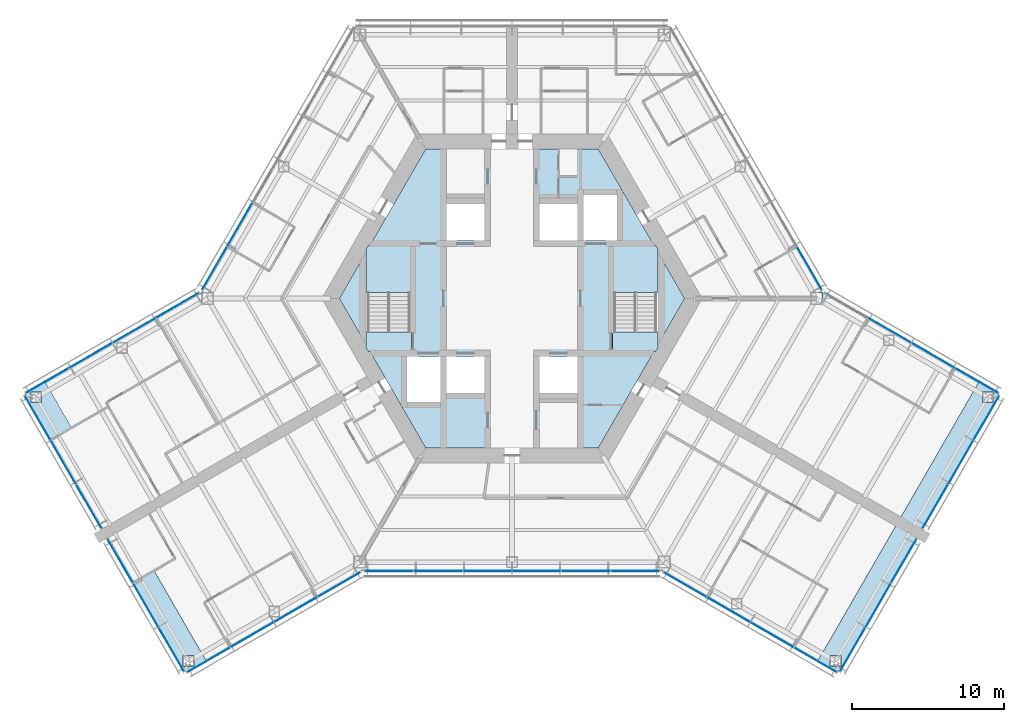
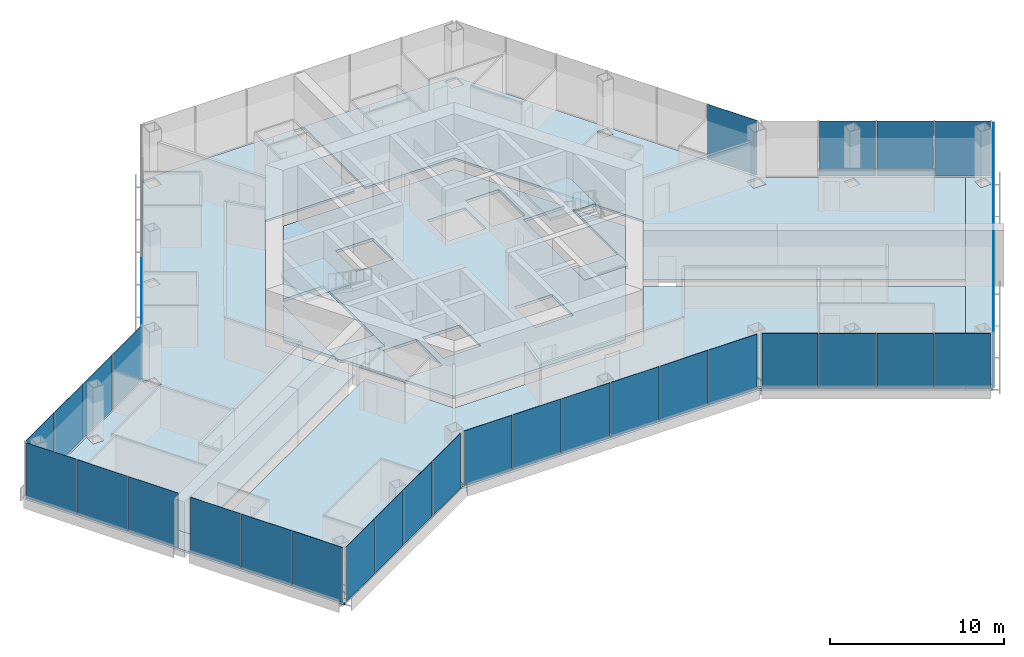
# One storey, part 10 of 18: 36 plates, 11 slabs, 13 elements without a shape of their own.
"""IFC4 building model written with IfcOpenShell, lengths in metres."""

from ifc_helpers import new_model, si_unit, direction, frame, origin, origin_2d, place, context, subcontext, project, spatial, polyline, rectangle, outline, extrude, material, layer, layer_set, type_object, element, aggregate, save


model = new_model("IFC4")

# Units and contexts
model_context = context("Model", 3, precision=1e-05, world=origin(), true_north=direction((0.0, 1.0)))
body_context = subcontext(model_context, "Body", "Model", "MODEL_VIEW")
ifc_project = project(units=[si_unit("LENGTHUNIT", "METRE"), si_unit("AREAUNIT", "SQUARE_METRE"), si_unit("VOLUMEUNIT", "CUBIC_METRE"), si_unit("PLANEANGLEUNIT", "RADIAN"), si_unit("MASSUNIT", "GRAM", prefix="KILO")], contexts=[model_context])

# Site, building, storey
site_placement = place(None, origin())
site = spatial("IfcSite", under=ifc_project, at=site_placement, CompositionType="ELEMENT")
building_placement = place(site_placement, origin())
building = spatial("IfcBuilding", under=site, at=building_placement, Name="Kasaneha Research Tower", CompositionType="ELEMENT")
storey_placement = place(building_placement, frame((0.0, 0.0, 144.800048828125)))
storey = spatial("IfcBuildingStorey", under=building, at=storey_placement, Name="L36", CompositionType="ELEMENT", Elevation=144.800048828125)

# Curtain wall, plates
ifc_material_1 = material(Name="Glass and aluminium", Category="aluminium")
curtain_wall_type = type_object("IfcCurtainWallType", Name="Mid-rise office curtain wall", PredefinedType="USERDEFINED", material=ifc_material_1)
curtain_wall_1_placement = place(storey_placement, origin())
curtain_wall_1 = element("IfcCurtainWall", 1, at=curtain_wall_1_placement, inside=storey, type_object=curtain_wall_type, Name="CW-O2 L36 run 01a", ObjectType="UNITISED CURTAIN WALL", PredefinedType="USERDEFINED")
ifc_material_2 = material(Name="Laminated double glazing", Category="glass")
ifc_layer_1 = layer(ifc_material_2, 0.02587890625)
ifc_layer_set_1 = layer_set([ifc_layer_1], Name="CW-O2 glazed panel")
plate_type = type_object("IfcPlateType", Name="CW-O2 glazed panel", PredefinedType="CURTAIN_PANEL", material=ifc_layer_set_1)
plate_1_placement = place(storey_placement, frame((-8.10107421875, -17.92041015625, 0.06005859375), z_axis=(0.0, 0.0, 1.0), x_axis=(1.0, 0.0, 0.0)))
plate_1 = element("IfcPlate", 2, at=plate_1_placement, type_object=plate_type, Name="CW-O2 panel 1", PredefinedType="CURTAIN_PANEL", context=body_context, shape_type="SweptSolid", body=[
    extrude(rectangle(XDim=3.156494140625, YDim=0.02587890625, at=origin_2d()), origin(), (0.0, 0.0, 1.0), 3.840087890625),
])
plate_2_placement = place(storey_placement, frame((-4.86962890625, -17.92041015625, 0.06005859375), z_axis=(0.0, 0.0, 1.0), x_axis=(1.0, 0.0, 0.0)))
plate_2 = element("IfcPlate", 3, at=plate_2_placement, type_object=plate_type, Name="CW-O2 panel 2", PredefinedType="CURTAIN_PANEL", context=body_context, shape_type="SweptSolid", body=[
    extrude(rectangle(XDim=3.1865234375, YDim=0.02587890625, at=origin_2d()), origin(), (0.0, 0.0, 1.0), 3.840087890625),
])
plate_3_placement = place(storey_placement, frame((-1.623291015625, -17.92041015625, 0.06005859375), z_axis=(0.0, 0.0, 1.0), x_axis=(1.0, 0.0, 0.0)))
plate_3 = element("IfcPlate", 4, at=plate_3_placement, type_object=plate_type, Name="CW-O2 panel 3", PredefinedType="CURTAIN_PANEL", context=body_context, shape_type="SweptSolid", body=[
    extrude(rectangle(XDim=3.1865234375, YDim=0.02587890625, at=origin_2d()), origin(), (0.0, 0.0, 1.0), 3.840087890625),
])
plate_4_placement = place(storey_placement, frame((1.623291015625, -17.92041015625, 0.06005859375), z_axis=(0.0, 0.0, 1.0), x_axis=(1.0, 0.0, 0.0)))
plate_4 = element("IfcPlate", 5, at=plate_4_placement, type_object=plate_type, Name="CW-O2 panel 4", PredefinedType="CURTAIN_PANEL", context=body_context, shape_type="SweptSolid", body=[
    extrude(rectangle(XDim=3.1865234375, YDim=0.02587890625, at=origin_2d()), origin(), (0.0, 0.0, 1.0), 3.840087890625),
])
plate_5_placement = place(storey_placement, frame((4.86962890625, -17.92041015625, 0.06005859375), z_axis=(0.0, 0.0, 1.0), x_axis=(1.0, 0.0, 0.0)))
plate_5 = element("IfcPlate", 6, at=plate_5_placement, type_object=plate_type, Name="CW-O2 panel 5", PredefinedType="CURTAIN_PANEL", context=body_context, shape_type="SweptSolid", body=[
    extrude(rectangle(XDim=3.1865234375, YDim=0.02587890625, at=origin_2d()), origin(), (0.0, 0.0, 1.0), 3.840087890625),
])
plate_6_placement = place(storey_placement, frame((8.10107421875, -17.92041015625, 0.06005859375), z_axis=(0.0, 0.0, 1.0), x_axis=(1.0, 0.0, 0.0)))
plate_6 = element("IfcPlate", 7, at=plate_6_placement, type_object=plate_type, Name="CW-O2 panel 6", PredefinedType="CURTAIN_PANEL", context=body_context, shape_type="SweptSolid", body=[
    extrude(rectangle(XDim=3.156494140625, YDim=0.02587890625, at=origin_2d()), origin(), (0.0, 0.0, 1.0), 3.840087890625),
])
aggregate(curtain_wall_1, [plate_1, plate_2, plate_3, plate_4, plate_5, plate_6])

curtain_wall_2_placement = place(storey_placement, origin())
curtain_wall_2 = element("IfcCurtainWall", 8, at=curtain_wall_2_placement, inside=storey, type_object=curtain_wall_type, Name="CW-O2 L36 run 02a", ObjectType="UNITISED CURTAIN WALL", PredefinedType="USERDEFINED")
plate_7_placement = place(storey_placement, frame((11.3720703125, -18.805419921875, 0.06005859375), z_axis=(0.0, 0.0, 1.0), x_axis=(0.866025411464, -0.499999986699, 0.0)))
plate_7 = element("IfcPlate", 9, at=plate_7_placement, type_object=plate_type, Name="CW-O2 panel 1", PredefinedType="CURTAIN_PANEL", context=body_context, shape_type="SweptSolid", body=[
    extrude(rectangle(XDim=3.2197265625, YDim=0.02587890625, at=origin_2d()), origin(), (0.0, 0.0, 1.0), 3.840087890625),
])
plate_8_placement = place(storey_placement, frame((14.225341796875, -20.452880859375, 0.06005859375), z_axis=(0.0, 0.0, 1.0), x_axis=(0.866025411464, -0.499999986699, 0.0)))
plate_8 = element("IfcPlate", 10, at=plate_8_placement, type_object=plate_type, Name="CW-O2 panel 2", PredefinedType="CURTAIN_PANEL", context=body_context, shape_type="SweptSolid", body=[
    extrude(rectangle(XDim=3.249755859375, YDim=0.02587890625, at=origin_2d()), origin(), (0.0, 0.0, 1.0), 3.840087890625),
])
plate_9_placement = place(storey_placement, frame((17.091796875, -22.107666015625, 0.06005859375), z_axis=(0.0, 0.0, 1.0), x_axis=(0.866025411464, -0.499999986699, 0.0)))
plate_9 = element("IfcPlate", 11, at=plate_9_placement, type_object=plate_type, Name="CW-O2 panel 3", PredefinedType="CURTAIN_PANEL", context=body_context, shape_type="SweptSolid", body=[
    extrude(rectangle(XDim=3.249755859375, YDim=0.02587890625, at=origin_2d()), origin(), (0.0, 0.0, 1.0), 3.840087890625),
])
plate_10_placement = place(storey_placement, frame((19.945068359375, -23.755126953125, 0.06005859375), z_axis=(0.0, 0.0, 1.0), x_axis=(0.866025411464, -0.499999986699, 0.0)))
plate_10 = element("IfcPlate", 12, at=plate_10_placement, type_object=plate_type, Name="CW-O2 panel 4", PredefinedType="CURTAIN_PANEL", context=body_context, shape_type="SweptSolid", body=[
    extrude(rectangle(XDim=3.2197265625, YDim=0.02587890625, at=origin_2d()), origin(), (0.0, 0.0, 1.0), 3.840087890625),
])
aggregate(curtain_wall_2, [plate_7, plate_8, plate_9, plate_10])

curtain_wall_3_placement = place(storey_placement, origin())
curtain_wall_3 = element("IfcCurtainWall", 13, at=curtain_wall_3_placement, inside=storey, type_object=curtain_wall_type, Name="CW-O2 L36 run 03a", ObjectType="UNITISED CURTAIN WALL", PredefinedType="USERDEFINED")
plate_11_placement = place(storey_placement, frame((22.38134765625, -23.075439453125, 0.06005859375), z_axis=(0.0, 0.0, 1.0), x_axis=(0.500000011442, 0.866025397178, 0.0)))
plate_11 = element("IfcPlate", 14, at=plate_11_placement, type_object=plate_type, Name="CW-O2 panel 1", PredefinedType="CURTAIN_PANEL", context=body_context, shape_type="SweptSolid", body=[
    extrude(rectangle(XDim=3.293212890625, YDim=0.02587890625, at=origin_2d()), origin(), (0.0, 0.0, 1.0), 3.840087890625),
])
plate_12_placement = place(storey_placement, frame((24.0654296875, -20.158447265625, 0.06005859375), z_axis=(0.0, 0.0, 1.0), x_axis=(0.500000011442, 0.866025397178, 0.0)))
plate_12 = element("IfcPlate", 15, at=plate_12_placement, type_object=plate_type, Name="CW-O2 panel 2", PredefinedType="CURTAIN_PANEL", context=body_context, shape_type="SweptSolid", body=[
    extrude(rectangle(XDim=3.3232421875, YDim=0.02587890625, at=origin_2d()), origin(), (0.0, 0.0, 1.0), 3.840087890625),
])
plate_13_placement = place(storey_placement, frame((25.74951171875, -17.241455078125, 0.06005859375), z_axis=(0.0, 0.0, 1.0), x_axis=(0.500000011442, 0.866025397178, 0.0)))
plate_13 = element("IfcPlate", 16, at=plate_13_placement, type_object=plate_type, Name="CW-O2 panel 3", PredefinedType="CURTAIN_PANEL", context=body_context, shape_type="SweptSolid", body=[
    extrude(rectangle(XDim=3.293212890625, YDim=0.02587890625, at=origin_2d()), origin(), (0.0, 0.0, 1.0), 3.840087890625),
])
aggregate(curtain_wall_3, [plate_11, plate_12, plate_13])

curtain_wall_4_placement = place(storey_placement, origin())
curtain_wall_4 = element("IfcCurtainWall", 17, at=curtain_wall_4_placement, inside=storey, type_object=curtain_wall_type, Name="CW-O2 L36 run 04a", ObjectType="UNITISED CURTAIN WALL", PredefinedType="USERDEFINED")
plate_14_placement = place(storey_placement, frame((27.806396484375, -13.67919921875, 0.06005859375), z_axis=(0.0, 0.0, 1.0), x_axis=(0.500000011442, 0.866025397178, 0.0)))
plate_14 = element("IfcPlate", 18, at=plate_14_placement, type_object=plate_type, Name="CW-O2 panel 1", PredefinedType="CURTAIN_PANEL", context=body_context, shape_type="SweptSolid", body=[
    extrude(rectangle(XDim=3.293212890625, YDim=0.02587890625, at=origin_2d()), origin(), (0.0, 0.0, 1.0), 3.840087890625),
])
plate_15_placement = place(storey_placement, frame((29.490478515625, -10.761962890625, 0.06005859375), z_axis=(0.0, 0.0, 1.0), x_axis=(0.500000011442, 0.866025397178, 0.0)))
plate_15 = element("IfcPlate", 19, at=plate_15_placement, type_object=plate_type, Name="CW-O2 panel 2", PredefinedType="CURTAIN_PANEL", context=body_context, shape_type="SweptSolid", body=[
    extrude(rectangle(XDim=3.3232421875, YDim=0.02587890625, at=origin_2d()), origin(), (0.0, 0.0, 1.0), 3.840087890625),
])
plate_16_placement = place(storey_placement, frame((31.174560546875, -7.844970703125, 0.06005859375), z_axis=(0.0, 0.0, 1.0), x_axis=(0.500000011442, 0.866025397178, 0.0)))
plate_16 = element("IfcPlate", 20, at=plate_16_placement, type_object=plate_type, Name="CW-O2 panel 3", PredefinedType="CURTAIN_PANEL", context=body_context, shape_type="SweptSolid", body=[
    extrude(rectangle(XDim=3.293212890625, YDim=0.02587890625, at=origin_2d()), origin(), (0.0, 0.0, 1.0), 3.840087890625),
])
aggregate(curtain_wall_4, [plate_14, plate_15, plate_16])

curtain_wall_5_placement = place(storey_placement, origin())
curtain_wall_5 = element("IfcCurtainWall", 21, at=curtain_wall_5_placement, inside=storey, type_object=curtain_wall_type, Name="CW-O2 L36 run 05a", ObjectType="UNITISED CURTAIN WALL", PredefinedType="USERDEFINED")
plate_17_placement = place(storey_placement, frame((30.545166015625, -5.3955078125, 0.06005859375), z_axis=(0.0, 0.0, 1.0), x_axis=(-0.866025411464, 0.499999986699, 0.0)))
plate_17 = element("IfcPlate", 22, at=plate_17_placement, type_object=plate_type, Name="CW-O2 panel 1", PredefinedType="CURTAIN_PANEL", context=body_context, shape_type="SweptSolid", body=[
    extrude(rectangle(XDim=3.2197265625, YDim=0.02587890625, at=origin_2d()), origin(), (0.0, 0.0, 1.0), 3.840087890625),
])
plate_18_placement = place(storey_placement, frame((27.69189453125, -3.748046875, 0.06005859375), z_axis=(0.0, 0.0, 1.0), x_axis=(-0.866025411464, 0.499999986699, 0.0)))
plate_18 = element("IfcPlate", 23, at=plate_18_placement, type_object=plate_type, Name="CW-O2 panel 2", PredefinedType="CURTAIN_PANEL", context=body_context, shape_type="SweptSolid", body=[
    extrude(rectangle(XDim=3.249755859375, YDim=0.02587890625, at=origin_2d()), origin(), (0.0, 0.0, 1.0), 3.840087890625),
])
plate_19_placement = place(storey_placement, frame((24.825439453125, -2.093017578125, 0.06005859375), z_axis=(0.0, 0.0, 1.0), x_axis=(-0.866025411464, 0.499999986699, 0.0)))
plate_19 = element("IfcPlate", 24, at=plate_19_placement, type_object=plate_type, Name="CW-O2 panel 3", PredefinedType="CURTAIN_PANEL", context=body_context, shape_type="SweptSolid", body=[
    extrude(rectangle(XDim=3.249755859375, YDim=0.02587890625, at=origin_2d()), origin(), (0.0, 0.0, 1.0), 3.840087890625),
])
aggregate(curtain_wall_5, [plate_17, plate_18, plate_19])

# Curtain wall, plate
curtain_wall_6_placement = place(storey_placement, origin())
curtain_wall_6 = element("IfcCurtainWall", 25, at=curtain_wall_6_placement, inside=storey, type_object=curtain_wall_type, Name="CW-O2 L36 run 06a", ObjectType="UNITISED CURTAIN WALL", PredefinedType="USERDEFINED")
plate_20_placement = place(storey_placement, frame((19.549072265625, 1.981201171875, 0.06005859375), z_axis=(0.0, 0.0, 1.0), x_axis=(-0.499999979232, 0.866025415775, 0.0)))
plate_20 = element("IfcPlate", 26, at=plate_20_placement, type_object=plate_type, Name="CW-O2 panel 1", PredefinedType="CURTAIN_PANEL", context=body_context, shape_type="SweptSolid", body=[
    extrude(rectangle(XDim=3.240966796875, YDim=0.02587890625, at=origin_2d()), origin(), (0.0, 0.0, 1.0), 3.840087890625),
])
aggregate(curtain_wall_6, [plate_20])

# Curtain wall, plates
curtain_wall_7_placement = place(storey_placement, origin())
curtain_wall_7 = element("IfcCurtainWall", 27, at=curtain_wall_7_placement, inside=storey, type_object=curtain_wall_type, Name="CW-O2 L36 run 08a", ObjectType="UNITISED CURTAIN WALL", PredefinedType="USERDEFINED")
plate_21_placement = place(storey_placement, frame((-17.89111328125, 4.852783203125, 0.06005859375), z_axis=(0.0, 0.0, 1.0), x_axis=(-0.499999979232, -0.866025415775, 0.0)))
plate_21 = element("IfcPlate", 28, at=plate_21_placement, type_object=plate_type, Name="CW-O2 panel 5", PredefinedType="CURTAIN_PANEL", context=body_context, shape_type="SweptSolid", body=[
    extrude(rectangle(XDim=3.27099609375, YDim=0.02587890625, at=origin_2d()), origin(), (0.0, 0.0, 1.0), 3.840087890625),
])
plate_22_placement = place(storey_placement, frame((-19.549072265625, 1.981201171875, 0.06005859375), z_axis=(0.0, 0.0, 1.0), x_axis=(-0.499999979232, -0.866025415775, 0.0)))
plate_22 = element("IfcPlate", 29, at=plate_22_placement, type_object=plate_type, Name="CW-O2 panel 6", PredefinedType="CURTAIN_PANEL", context=body_context, shape_type="SweptSolid", body=[
    extrude(rectangle(XDim=3.240966796875, YDim=0.02587890625, at=origin_2d()), origin(), (0.0, 0.0, 1.0), 3.840087890625),
])
aggregate(curtain_wall_7, [plate_21, plate_22])

curtain_wall_8_placement = place(storey_placement, origin())
curtain_wall_8 = element("IfcCurtainWall", 30, at=curtain_wall_8_placement, inside=storey, type_object=curtain_wall_type, Name="CW-O2 L36 run 09a", ObjectType="UNITISED CURTAIN WALL", PredefinedType="USERDEFINED")
plate_23_placement = place(storey_placement, frame((-21.971923828125, -0.44580078125, 0.06005859375), z_axis=(0.0, 0.0, 1.0), x_axis=(-0.866025411464, -0.499999986699, 0.0)))
plate_23 = element("IfcPlate", 31, at=plate_23_placement, type_object=plate_type, Name="CW-O2 panel 1", PredefinedType="CURTAIN_PANEL", context=body_context, shape_type="SweptSolid", body=[
    extrude(rectangle(XDim=3.2197265625, YDim=0.02587890625, at=origin_2d()), origin(), (0.0, 0.0, 1.0), 3.840087890625),
])
plate_24_placement = place(storey_placement, frame((-24.825439453125, -2.093017578125, 0.06005859375), z_axis=(0.0, 0.0, 1.0), x_axis=(-0.866025411464, -0.499999986699, 0.0)))
plate_24 = element("IfcPlate", 32, at=plate_24_placement, type_object=plate_type, Name="CW-O2 panel 2", PredefinedType="CURTAIN_PANEL", context=body_context, shape_type="SweptSolid", body=[
    extrude(rectangle(XDim=3.249755859375, YDim=0.02587890625, at=origin_2d()), origin(), (0.0, 0.0, 1.0), 3.840087890625),
])
plate_25_placement = place(storey_placement, frame((-27.69189453125, -3.748046875, 0.06005859375), z_axis=(0.0, 0.0, 1.0), x_axis=(-0.866025411464, -0.499999986699, 0.0)))
plate_25 = element("IfcPlate", 33, at=plate_25_placement, type_object=plate_type, Name="CW-O2 panel 3", PredefinedType="CURTAIN_PANEL", context=body_context, shape_type="SweptSolid", body=[
    extrude(rectangle(XDim=3.249755859375, YDim=0.02587890625, at=origin_2d()), origin(), (0.0, 0.0, 1.0), 3.840087890625),
])
plate_26_placement = place(storey_placement, frame((-30.545166015625, -5.3955078125, 0.06005859375), z_axis=(0.0, 0.0, 1.0), x_axis=(-0.866025411464, -0.499999986699, 0.0)))
plate_26 = element("IfcPlate", 34, at=plate_26_placement, type_object=plate_type, Name="CW-O2 panel 4", PredefinedType="CURTAIN_PANEL", context=body_context, shape_type="SweptSolid", body=[
    extrude(rectangle(XDim=3.2197265625, YDim=0.02587890625, at=origin_2d()), origin(), (0.0, 0.0, 1.0), 3.840087890625),
])
aggregate(curtain_wall_8, [plate_23, plate_24, plate_25, plate_26])

curtain_wall_9_placement = place(storey_placement, origin())
curtain_wall_9 = element("IfcCurtainWall", 35, at=curtain_wall_9_placement, inside=storey, type_object=curtain_wall_type, Name="CW-O2 L36 run 10a", ObjectType="UNITISED CURTAIN WALL", PredefinedType="USERDEFINED")
plate_27_placement = place(storey_placement, frame((-31.174560546875, -7.844970703125, 0.06005859375), z_axis=(0.0, 0.0, 1.0), x_axis=(0.500000011442, -0.866025397178, 0.0)))
plate_27 = element("IfcPlate", 36, at=plate_27_placement, type_object=plate_type, Name="CW-O2 panel 1", PredefinedType="CURTAIN_PANEL", context=body_context, shape_type="SweptSolid", body=[
    extrude(rectangle(XDim=3.293212890625, YDim=0.02587890625, at=origin_2d()), origin(), (0.0, 0.0, 1.0), 3.840087890625),
])
plate_28_placement = place(storey_placement, frame((-29.490478515625, -10.761962890625, 0.06005859375), z_axis=(0.0, 0.0, 1.0), x_axis=(0.500000011442, -0.866025397178, 0.0)))
plate_28 = element("IfcPlate", 37, at=plate_28_placement, type_object=plate_type, Name="CW-O2 panel 2", PredefinedType="CURTAIN_PANEL", context=body_context, shape_type="SweptSolid", body=[
    extrude(rectangle(XDim=3.3232421875, YDim=0.02587890625, at=origin_2d()), origin(), (0.0, 0.0, 1.0), 3.840087890625),
])
plate_29_placement = place(storey_placement, frame((-27.806396484375, -13.67919921875, 0.06005859375), z_axis=(0.0, 0.0, 1.0), x_axis=(0.500000011442, -0.866025397178, 0.0)))
plate_29 = element("IfcPlate", 38, at=plate_29_placement, type_object=plate_type, Name="CW-O2 panel 3", PredefinedType="CURTAIN_PANEL", context=body_context, shape_type="SweptSolid", body=[
    extrude(rectangle(XDim=3.293212890625, YDim=0.02587890625, at=origin_2d()), origin(), (0.0, 0.0, 1.0), 3.840087890625),
])
aggregate(curtain_wall_9, [plate_27, plate_28, plate_29])

curtain_wall_10_placement = place(storey_placement, origin())
curtain_wall_10 = element("IfcCurtainWall", 39, at=curtain_wall_10_placement, inside=storey, type_object=curtain_wall_type, Name="CW-O2 L36 run 11a", ObjectType="UNITISED CURTAIN WALL", PredefinedType="USERDEFINED")
plate_30_placement = place(storey_placement, frame((-25.74951171875, -17.241455078125, 0.06005859375), z_axis=(0.0, 0.0, 1.0), x_axis=(0.500000011442, -0.866025397178, 0.0)))
plate_30 = element("IfcPlate", 40, at=plate_30_placement, type_object=plate_type, Name="CW-O2 panel 1", PredefinedType="CURTAIN_PANEL", context=body_context, shape_type="SweptSolid", body=[
    extrude(rectangle(XDim=3.293212890625, YDim=0.02587890625, at=origin_2d()), origin(), (0.0, 0.0, 1.0), 3.840087890625),
])
plate_31_placement = place(storey_placement, frame((-24.0654296875, -20.158447265625, 0.06005859375), z_axis=(0.0, 0.0, 1.0), x_axis=(0.500000011442, -0.866025397178, 0.0)))
plate_31 = element("IfcPlate", 41, at=plate_31_placement, type_object=plate_type, Name="CW-O2 panel 2", PredefinedType="CURTAIN_PANEL", context=body_context, shape_type="SweptSolid", body=[
    extrude(rectangle(XDim=3.3232421875, YDim=0.02587890625, at=origin_2d()), origin(), (0.0, 0.0, 1.0), 3.840087890625),
])
plate_32_placement = place(storey_placement, frame((-22.38134765625, -23.075439453125, 0.06005859375), z_axis=(0.0, 0.0, 1.0), x_axis=(0.500000011442, -0.866025397178, 0.0)))
plate_32 = element("IfcPlate", 42, at=plate_32_placement, type_object=plate_type, Name="CW-O2 panel 3", PredefinedType="CURTAIN_PANEL", context=body_context, shape_type="SweptSolid", body=[
    extrude(rectangle(XDim=3.293212890625, YDim=0.02587890625, at=origin_2d()), origin(), (0.0, 0.0, 1.0), 3.840087890625),
])
aggregate(curtain_wall_10, [plate_30, plate_31, plate_32])

curtain_wall_11_placement = place(storey_placement, origin())
curtain_wall_11 = element("IfcCurtainWall", 43, at=curtain_wall_11_placement, inside=storey, type_object=curtain_wall_type, Name="CW-O2 L36 run 12a", ObjectType="UNITISED CURTAIN WALL", PredefinedType="USERDEFINED")
plate_33_placement = place(storey_placement, frame((-19.945068359375, -23.755126953125, 0.06005859375), z_axis=(0.0, 0.0, 1.0), x_axis=(0.866025411464, 0.499999986699, 0.0)))
plate_33 = element("IfcPlate", 44, at=plate_33_placement, type_object=plate_type, Name="CW-O2 panel 1", PredefinedType="CURTAIN_PANEL", context=body_context, shape_type="SweptSolid", body=[
    extrude(rectangle(XDim=3.2197265625, YDim=0.02587890625, at=origin_2d()), origin(), (0.0, 0.0, 1.0), 3.840087890625),
])
plate_34_placement = place(storey_placement, frame((-17.091796875, -22.107666015625, 0.06005859375), z_axis=(0.0, 0.0, 1.0), x_axis=(0.866025411464, 0.499999986699, 0.0)))
plate_34 = element("IfcPlate", 45, at=plate_34_placement, type_object=plate_type, Name="CW-O2 panel 2", PredefinedType="CURTAIN_PANEL", context=body_context, shape_type="SweptSolid", body=[
    extrude(rectangle(XDim=3.249755859375, YDim=0.02587890625, at=origin_2d()), origin(), (0.0, 0.0, 1.0), 3.840087890625),
])
plate_35_placement = place(storey_placement, frame((-14.225341796875, -20.452880859375, 0.06005859375), z_axis=(0.0, 0.0, 1.0), x_axis=(0.866025411464, 0.499999986699, 0.0)))
plate_35 = element("IfcPlate", 46, at=plate_35_placement, type_object=plate_type, Name="CW-O2 panel 3", PredefinedType="CURTAIN_PANEL", context=body_context, shape_type="SweptSolid", body=[
    extrude(rectangle(XDim=3.249755859375, YDim=0.02587890625, at=origin_2d()), origin(), (0.0, 0.0, 1.0), 3.840087890625),
])
plate_36_placement = place(storey_placement, frame((-11.3720703125, -18.805419921875, 0.06005859375), z_axis=(0.0, 0.0, 1.0), x_axis=(0.866025411464, 0.499999986699, 0.0)))
plate_36 = element("IfcPlate", 47, at=plate_36_placement, type_object=plate_type, Name="CW-O2 panel 4", PredefinedType="CURTAIN_PANEL", context=body_context, shape_type="SweptSolid", body=[
    extrude(rectangle(XDim=3.2197265625, YDim=0.02587890625, at=origin_2d()), origin(), (0.0, 0.0, 1.0), 3.840087890625),
])
aggregate(curtain_wall_11, [plate_33, plate_34, plate_35, plate_36])

# Slabs
ifc_material_3 = material(Name="Concrete Fc24", Category="concrete")
ifc_layer_2 = layer(ifc_material_3, 0.199951171875)
ifc_layer_set_2 = layer_set([ifc_layer_2], Name="Core floor slab 200")
slab_type_1 = type_object("IfcSlabType", Name="Core floor slab 200", PredefinedType="FLOOR", material=ifc_layer_set_2)
slab_1_placement = place(storey_placement, frame((0.0, 0.0, -0.199951171875)))
element("IfcSlab", 48, at=slab_1_placement, inside=storey, type_object=slab_type_1, Name="Core slab L36", PredefinedType="FLOOR", context=body_context, shape_type="SweptSolid", body=[
    extrude(outline(polyline([(-11.344970703125, 0.0), (-9.60009765625, 3.022216796875), (-9.60009765625, -3.022216796875), (-11.344970703125, 0.0)])), origin(), (0.0, 0.0, 1.0), 0.199951171875),
])
slab_2_placement = place(storey_placement, frame((0.0, 0.0, -0.199951171875)))
element("IfcSlab", 49, at=slab_2_placement, inside=storey, type_object=slab_type_1, Name="Core slab L36", PredefinedType="FLOOR", context=body_context, shape_type="SweptSolid", body=[
    extrude(outline(polyline([(-5.67236328125, 9.824951171875), (5.67236328125, 9.824951171875), (9.32421875, 3.5), (6.60009765625, 3.5), (6.60009765625, -3.5), (9.32421875, -3.5), (5.67236328125, -9.824951171875), (-5.67236328125, -9.824951171875), (-9.32421875, -3.5), (-6.60009765625, -3.5), (-6.60009765625, 3.5), (-9.32421875, 3.5), (-5.67236328125, 9.824951171875)]), holes=[polyline([(-6.89990234375, -3.800048828125), (-6.89990234375, -6.800048828125), (-4.699951171875, -6.800048828125), (-4.699951171875, -3.800048828125), (-6.89990234375, -3.800048828125)]), polyline([(-4.300048828125, -3.800048828125), (-4.300048828125, -6.199951171875), (-1.800048828125, -6.199951171875), (-1.800048828125, -3.800048828125), (-4.300048828125, -3.800048828125)]), polyline([(1.800048828125, -3.800048828125), (1.800048828125, -6.199951171875), (4.300048828125, -6.199951171875), (4.300048828125, -3.800048828125), (1.800048828125, -3.800048828125)]), polyline([(-4.300048828125, 6.199951171875), (-4.300048828125, 3.800048828125), (-1.800048828125, 3.800048828125), (-1.800048828125, 6.199951171875), (-4.300048828125, 6.199951171875)]), polyline([(1.800048828125, 6.199951171875), (1.800048828125, 3.800048828125), (4.300048828125, 3.800048828125), (4.300048828125, 6.199951171875), (1.800048828125, 6.199951171875)]), polyline([(4.699951171875, 6.800048828125), (4.699951171875, 3.800048828125), (6.89990234375, 3.800048828125), (6.89990234375, 6.800048828125), (4.699951171875, 6.800048828125)])]), origin(), (0.0, 0.0, 1.0), 0.199951171875),
])
slab_3_placement = place(storey_placement, frame((0.0, 0.0, -0.199951171875)))
element("IfcSlab", 50, at=slab_3_placement, inside=storey, type_object=slab_type_1, Name="Core slab L36", PredefinedType="FLOOR", context=body_context, shape_type="SweptSolid", body=[
    extrude(outline(polyline([(11.344970703125, 0.0), (9.60009765625, -3.022216796875), (9.60009765625, 3.022216796875), (11.344970703125, 0.0)])), origin(), (0.0, 0.0, 1.0), 0.199951171875),
])
ifc_material_4 = material(Name="Concrete Fc24", Category="concrete")
ifc_layer_3 = layer(ifc_material_4, 0.14990234375)
ifc_layer_set_3 = layer_set([ifc_layer_3], Name="Floor slab 150")
slab_type_2 = type_object("IfcSlabType", Name="Floor slab 150", PredefinedType="FLOOR", material=ifc_layer_set_3)
slab_4_placement = place(storey_placement, frame((0.0, 0.0, -0.150146484375)))
element("IfcSlab", 51, at=slab_4_placement, inside=storey, type_object=slab_type_2, Name="Floor slab L36 1", PredefinedType="FLOOR", context=body_context, shape_type="SweptSolid", body=[
    extrude(outline(polyline([(-32.009521484375, -6.298583984375), (-30.65869140625, -5.518798828125), (-25.55859375, -14.35205078125), (-25.5673828125, -14.357177734375), (-25.21728515625, -14.96337890625), (-25.208740234375, -14.958251953125), (-20.108642578125, -23.791748046875), (-21.459716796875, -24.57177734375), (-32.009521484375, -6.298583984375)]), holes=[polyline([(-20.908447265625, -24.17041015625), (-20.908447265625, -23.470458984375), (-21.6083984375, -23.470458984375), (-21.6083984375, -24.17041015625), (-20.908447265625, -24.17041015625)]), polyline([(-30.908447265625, -6.85009765625), (-30.908447265625, -6.14990234375), (-31.6083984375, -6.14990234375), (-31.6083984375, -6.85009765625), (-30.908447265625, -6.85009765625)])]), origin(), (0.0, 0.0, 1.0), 0.150146484375),
])
slab_5_placement = place(storey_placement, frame((0.0, 0.0, -0.150146484375)))
element("IfcSlab", 52, at=slab_5_placement, inside=storey, type_object=slab_type_2, Name="Floor slab L36 2", PredefinedType="FLOOR", context=body_context, shape_type="SweptSolid", body=[
    extrude(outline(polyline([(9.8525390625, -17.87060546875), (-9.8525390625, -17.87060546875), (-20.108642578125, -23.791748046875), (-25.208740234375, -14.958251953125), (-9.19970703125, -5.715576171875), (-6.249755859375, -10.824951171875), (6.249755859375, -10.824951171875), (9.19970703125, -5.715576171875), (25.208740234375, -14.958251953125), (20.108642578125, -23.791748046875), (9.8525390625, -17.87060546875)]), holes=[polyline([(-15.279052734375, -20.92041015625), (-15.279052734375, -20.220458984375), (-15.979248046875, -20.220458984375), (-15.979248046875, -20.92041015625), (-15.279052734375, -20.92041015625)]), polyline([(0.35009765625, -17.67041015625), (0.35009765625, -16.970458984375), (-0.35009765625, -16.970458984375), (-0.35009765625, -17.67041015625), (0.35009765625, -17.67041015625)]), polyline([(-10.39990234375, -17.720458984375), (-9.60009765625, -17.720458984375), (-9.60009765625, -16.92041015625), (-10.39990234375, -16.92041015625), (-10.39990234375, -17.720458984375)]), polyline([(15.113037109375, -20.42041015625), (15.113037109375, -19.720458984375), (14.4130859375, -19.720458984375), (14.4130859375, -20.42041015625), (15.113037109375, -20.42041015625)]), polyline([(9.60009765625, -17.720458984375), (10.39990234375, -17.720458984375), (10.39990234375, -16.92041015625), (9.60009765625, -16.92041015625), (9.60009765625, -17.720458984375)])]), origin(), (0.0, 0.0, 1.0), 0.150146484375),
])
slab_6_placement = place(storey_placement, frame((0.0, 0.0, -0.150146484375)))
element("IfcSlab", 53, at=slab_6_placement, inside=storey, type_object=slab_type_2, Name="Floor slab L36 3", PredefinedType="FLOOR", context=body_context, shape_type="SweptSolid", body=[
    extrude(outline(polyline([(-20.400146484375, -0.400146484375), (-19.599853515625, -0.400146484375), (-19.599853515625, 0.400146484375), (-20.385986328125, 0.400146484375), (-20.3974609375, 0.41162109375), (-10.40771484375, 17.714111328125), (-10.400146484375, 17.70654296875), (-10.400146484375, 16.92041015625), (-9.599853515625, 16.92041015625), (-9.599853515625, 17.720703125), (-10.385986328125, 17.720703125), (-10.3974609375, 17.732177734375), (-10.317626953125, 17.87060546875), (10.317626953125, 17.87060546875), (10.3974609375, 17.732177734375), (10.385986328125, 17.720703125), (9.599853515625, 17.720703125), (9.599853515625, 16.92041015625), (10.400146484375, 16.92041015625), (10.400146484375, 17.70654296875), (10.40771484375, 17.714111328125), (20.3974609375, 0.41162109375), (20.385986328125, 0.400146484375), (19.599853515625, 0.400146484375), (19.599853515625, -0.400146484375), (20.400146484375, -0.400146484375), (20.400146484375, 0.385986328125), (20.41162109375, 0.3974609375), (30.65869140625, -5.518798828125), (25.55859375, -14.35205078125), (9.5498046875, -5.109375), (12.49951171875, 0.0), (6.249755859375, 10.824951171875), (0.35009765625, 10.824951171875), (0.35009765625, 17.7705078125), (-0.35009765625, 17.7705078125), (-0.35009765625, 10.824951171875), (-6.249755859375, 10.824951171875), (-12.49951171875, 0.0), (-9.5498046875, -5.109375), (-25.55859375, -14.35205078125), (-30.65869140625, -5.518798828125), (-20.41162109375, 0.3974609375), (-20.400146484375, 0.385986328125), (-20.400146484375, -0.400146484375)]), holes=[polyline([(-25.279052734375, -3.60009765625), (-25.279052734375, -2.89990234375), (-25.979248046875, -2.89990234375), (-25.979248046875, -3.60009765625), (-25.279052734375, -3.60009765625)]), polyline([(-15.35009765625, 8.310302734375), (-14.64990234375, 8.310302734375), (-14.64990234375, 9.01025390625), (-15.35009765625, 9.01025390625), (-15.35009765625, 8.310302734375)]), polyline([(24.4130859375, -3.10009765625), (25.113037109375, -3.10009765625), (25.113037109375, -2.39990234375), (24.4130859375, -2.39990234375), (24.4130859375, -3.10009765625)]), polyline([(14.64990234375, 8.310302734375), (15.35009765625, 8.310302734375), (15.35009765625, 9.01025390625), (14.64990234375, 9.01025390625), (14.64990234375, 8.310302734375)])]), origin(), (0.0, 0.0, 1.0), 0.150146484375),
])
slab_7_placement = place(storey_placement, frame((0.0, 0.0, -0.150146484375)))
element("IfcSlab", 54, at=slab_7_placement, inside=storey, type_object=slab_type_2, Name="Floor slab L36 4", PredefinedType="FLOOR", context=body_context, shape_type="SweptSolid", body=[
    extrude(outline(polyline([(32.009521484375, -6.298583984375), (21.459716796875, -24.57177734375), (20.108642578125, -23.791748046875), (25.208740234375, -14.958251953125), (25.21728515625, -14.96337890625), (25.5673828125, -14.357177734375), (25.55859375, -14.35205078125), (30.65869140625, -5.518798828125), (32.009521484375, -6.298583984375)]), holes=[polyline([(21.6083984375, -24.17041015625), (21.6083984375, -23.470458984375), (20.908447265625, -23.470458984375), (20.908447265625, -24.17041015625), (21.6083984375, -24.17041015625)]), polyline([(31.6083984375, -6.85009765625), (31.6083984375, -6.14990234375), (30.908447265625, -6.14990234375), (30.908447265625, -6.85009765625), (31.6083984375, -6.85009765625)])]), origin(), (0.0, 0.0, 1.0), 0.150146484375),
])

# Stair, slabs
ifc_material_5 = material(Name="Concrete Fc24", Category="concrete")
stair_type = type_object("IfcStairType", Name="Half-turn stair 22 risers", PredefinedType="HALF_TURN_STAIR", material=ifc_material_5)
stair_1_placement = place(storey_placement, origin())
stair_1 = element("IfcStair", 55, at=stair_1_placement, inside=storey, type_object=stair_type, Name="Stair 1 L36", PredefinedType="HALF_TURN_STAIR")
ifc_material_6 = material(Name="Concrete Fc24", Category="concrete")
ifc_layer_4 = layer(ifc_material_6, 0.199951171875)
ifc_layer_set_4 = layer_set([ifc_layer_4], Name="Stair 1 landing 200")
slab_type_3 = type_object("IfcSlabType", Name="Stair 1 landing 200", PredefinedType="LANDING", material=ifc_layer_set_4)
slab_8_placement = place(storey_placement, frame((0.0, 0.0, -0.199951171875)))
slab_8 = element("IfcSlab", 56, at=slab_8_placement, type_object=slab_type_3, Name="ST1-22R landing 1", PredefinedType="LANDING", context=body_context, shape_type="SweptSolid", body=[
    extrude(outline(polyline([(9.439697265625, -3.5), (6.60009765625, -3.5), (6.60009765625, -2.199951171875), (9.60009765625, -2.199951171875), (9.60009765625, -3.222412109375), (9.439697265625, -3.5)])), origin(), (0.0, 0.0, 1.0), 0.199951171875),
])
slab_9_placement = place(storey_placement, frame((0.0, 0.0, 1.75)))
slab_9 = element("IfcSlab", 57, at=slab_9_placement, type_object=slab_type_3, Name="ST1-22R landing 2", PredefinedType="LANDING", context=body_context, shape_type="SweptSolid", body=[
    extrude(outline(polyline([(6.60009765625, 3.5), (9.439697265625, 3.5), (9.60009765625, 3.222412109375), (9.60009765625, 0.39990234375), (6.60009765625, 0.39990234375), (6.60009765625, 3.5)])), origin(), (0.0, 0.0, 1.0), 0.199951171875),
])
aggregate(stair_1, [slab_8, slab_9])

stair_2_placement = place(storey_placement, origin())
stair_2 = element("IfcStair", 58, at=stair_2_placement, inside=storey, type_object=stair_type, Name="Stair 2 L36", PredefinedType="HALF_TURN_STAIR")
ifc_material_7 = material(Name="Concrete Fc24", Category="concrete")
ifc_layer_5 = layer(ifc_material_7, 0.199951171875)
ifc_layer_set_5 = layer_set([ifc_layer_5], Name="Stair 2 landing 200")
slab_type_4 = type_object("IfcSlabType", Name="Stair 2 landing 200", PredefinedType="LANDING", material=ifc_layer_set_5)
slab_10_placement = place(storey_placement, frame((0.0, 0.0, -0.199951171875)))
slab_10 = element("IfcSlab", 59, at=slab_10_placement, type_object=slab_type_4, Name="ST2-22R landing 1", PredefinedType="LANDING", context=body_context, shape_type="SweptSolid", body=[
    extrude(outline(polyline([(-6.60009765625, -3.5), (-9.439697265625, -3.5), (-9.60009765625, -3.222412109375), (-9.60009765625, -2.199951171875), (-6.60009765625, -2.199951171875), (-6.60009765625, -3.5)])), origin(), (0.0, 0.0, 1.0), 0.199951171875),
])
slab_11_placement = place(storey_placement, frame((0.0, 0.0, 1.75)))
slab_11 = element("IfcSlab", 60, at=slab_11_placement, type_object=slab_type_4, Name="ST2-22R landing 2", PredefinedType="LANDING", context=body_context, shape_type="SweptSolid", body=[
    extrude(outline(polyline([(-6.60009765625, 0.39990234375), (-9.60009765625, 0.39990234375), (-9.60009765625, 3.222412109375), (-9.439697265625, 3.5), (-6.60009765625, 3.5), (-6.60009765625, 0.39990234375)])), origin(), (0.0, 0.0, 1.0), 0.199951171875),
])
aggregate(stair_2, [slab_10, slab_11])

save(model, "model.ifc")
